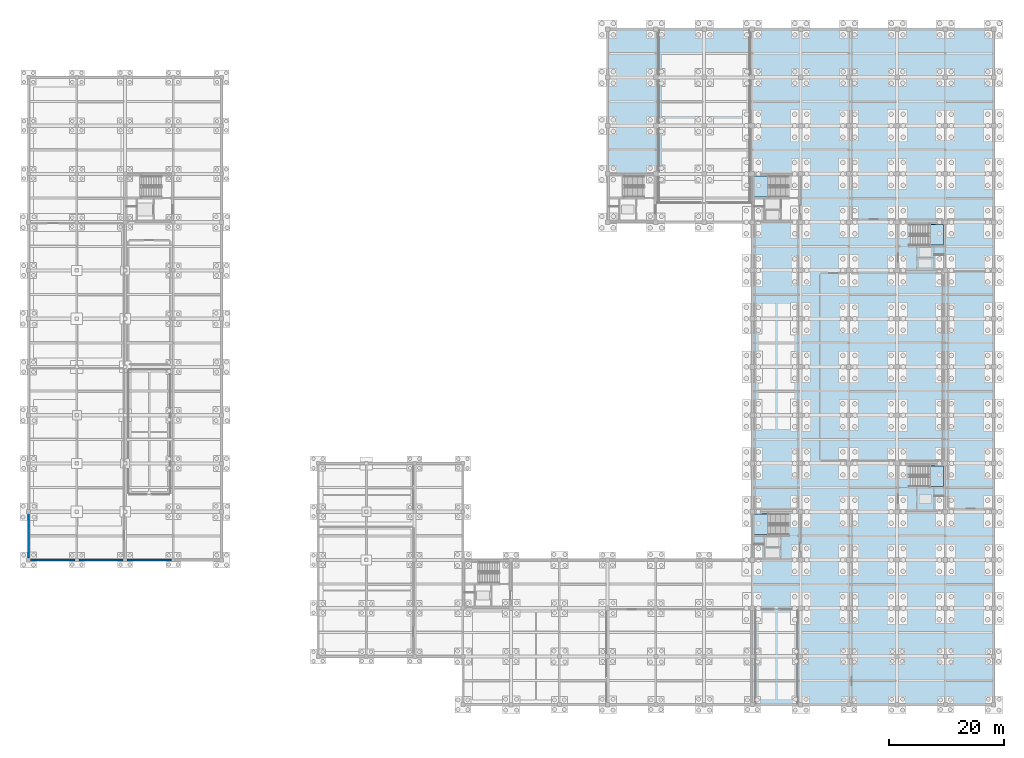
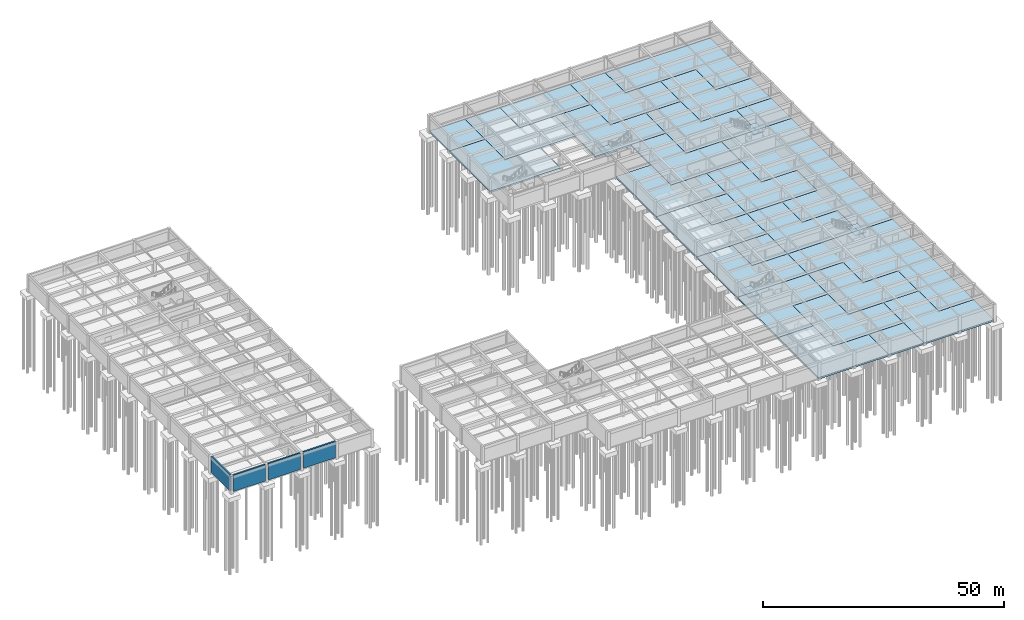
# One storey, part 15 of 33: 30 slabs, 4 walls, 4 elements without a shape of their own.
"""IFC4 building model written with IfcOpenShell, lengths in metres."""

from ifc_helpers import new_model, si_unit, direction, frame, frame_2d, origin, place, context, subcontext, project, spatial, polyline, rectangle, outline, extrude, material, layer, layer_set, type_object, element, aggregate, save


model = new_model("IFC4")

# Units and contexts
model_context = context("Model", 3, precision=1e-05, world=origin(), true_north=direction((0.0, 1.0)))
body_context = subcontext(model_context, "Body", "Model", "MODEL_VIEW")
ifc_project = project(units=[si_unit("LENGTHUNIT", "METRE"), si_unit("AREAUNIT", "SQUARE_METRE"), si_unit("VOLUMEUNIT", "CUBIC_METRE"), si_unit("PLANEANGLEUNIT", "RADIAN"), si_unit("MASSUNIT", "GRAM", prefix="KILO")], contexts=[model_context])

# Site, building, storey
site_placement = place(None, origin())
site = spatial("IfcSite", under=ifc_project, at=site_placement, CompositionType="ELEMENT")
building_placement = place(site_placement, origin())
building = spatial("IfcBuilding", under=site, at=building_placement, Name="Kveldsbrygga Polytechnic", CompositionType="ELEMENT")
storey_placement = place(building_placement, frame((0.0, 0.0, -4.419921875)))
storey = spatial("IfcBuildingStorey", under=building, at=storey_placement, Name="B1", CompositionType="ELEMENT", Elevation=-4.419921875)

# Slabs
ifc_material = material(Name="Concrete C35/45", Category="concrete")
ifc_layer_1 = layer(ifc_material, 0.39990234375)
ifc_layer_set_1 = layer_set([ifc_layer_1], Name="Concrete C35/45")
slab_type_1 = type_object("IfcSlabType", Name="SLB-BASE-400", PredefinedType="BASESLAB", material=ifc_layer_set_1)
slab_1_placement = place(storey_placement, frame((0.0, 0.0, -0.400146484375)))
element("IfcSlab", 1, at=slab_1_placement, inside=storey, type_object=slab_type_1, Name="Slab SLB-B1-V4-L01-1", PredefinedType="BASESLAB", context=body_context, shape_type="SweptSolid", body=[
    extrude(outline(polyline([(100.800048828125, 92.39990234375), (100.800048828125, 100.800048828125), (100.800048828125, 109.199951171875), (109.199951171875, 109.199951171875), (109.199951171875, 100.800048828125), (117.60009765625, 100.800048828125), (117.60009765625, 92.39990234375), (109.199951171875, 92.39990234375), (100.800048828125, 92.39990234375)])), origin(), (0.0, 0.0, 1.0), 0.400146484375),
])
slab_2_placement = place(storey_placement, frame((0.0, 0.0, -0.400146484375)))
element("IfcSlab", 2, at=slab_2_placement, inside=storey, type_object=slab_type_1, Name="Slab SLB-B1-V4-L02-1", PredefinedType="BASESLAB", context=body_context, shape_type="SweptSolid", body=[
    extrude(outline(polyline([(109.199951171875, 100.800048828125), (109.199951171875, 109.199951171875), (109.199951171875, 117.60009765625), (117.60009765625, 117.60009765625), (117.60009765625, 109.199951171875), (126.0, 109.199951171875), (126.0, 100.800048828125), (117.60009765625, 100.800048828125), (109.199951171875, 100.800048828125)])), origin(), (0.0, 0.0, 1.0), 0.400146484375),
])
slab_3_placement = place(storey_placement, frame((0.0, 0.0, -0.400146484375)))
element("IfcSlab", 3, at=slab_3_placement, inside=storey, type_object=slab_type_1, Name="Slab SLB-B1-V4-L03-1", PredefinedType="BASESLAB", context=body_context, shape_type="SweptSolid", body=[
    extrude(outline(polyline([(126.0, 0.0), (126.0, 8.39990234375), (126.0, 16.800048828125), (134.39990234375, 16.800048828125), (134.39990234375, 8.39990234375), (142.800048828125, 8.39990234375), (142.800048828125, 0.0), (134.39990234375, 0.0), (126.0, 0.0)])), origin(), (0.0, 0.0, 1.0), 0.400146484375),
])
slab_4_placement = place(storey_placement, frame((0.0, 0.0, -0.400146484375)))
element("IfcSlab", 4, at=slab_4_placement, inside=storey, type_object=slab_type_1, Name="Slab SLB-B1-V4-L04-1", PredefinedType="BASESLAB", context=body_context, shape_type="SweptSolid", body=[
    extrude(outline(polyline([(126.0, 33.60009765625), (126.0, 42.0), (126.0, 50.39990234375), (134.39990234375, 50.39990234375), (134.39990234375, 42.0), (142.800048828125, 42.0), (142.800048828125, 33.60009765625), (134.39990234375, 33.60009765625), (126.0, 33.60009765625)])), origin(), (0.0, 0.0, 1.0), 0.400146484375),
])
slab_5_placement = place(storey_placement, frame((0.0, 0.0, -0.400146484375)))
element("IfcSlab", 5, at=slab_5_placement, inside=storey, type_object=slab_type_1, Name="Slab SLB-B1-V4-L05-1", PredefinedType="BASESLAB", context=body_context, shape_type="SweptSolid", body=[
    extrude(outline(polyline([(126.0, 50.39990234375), (126.0, 58.800048828125), (126.0, 67.199951171875), (134.39990234375, 67.199951171875), (134.39990234375, 58.800048828125), (142.800048828125, 58.800048828125), (142.800048828125, 50.39990234375), (134.39990234375, 50.39990234375), (126.0, 50.39990234375)])), origin(), (0.0, 0.0, 1.0), 0.400146484375),
])
slab_6_placement = place(storey_placement, frame((0.0, 0.0, -0.400146484375)))
element("IfcSlab", 6, at=slab_6_placement, inside=storey, type_object=slab_type_1, Name="Slab SLB-B1-V4-L06-1", PredefinedType="BASESLAB", context=body_context, shape_type="SweptSolid", body=[
    extrude(outline(polyline([(126.0, 67.199951171875), (126.0, 75.60009765625), (126.0, 84.0), (134.39990234375, 84.0), (134.39990234375, 75.60009765625), (142.800048828125, 75.60009765625), (142.800048828125, 67.199951171875), (134.39990234375, 67.199951171875), (126.0, 67.199951171875)])), origin(), (0.0, 0.0, 1.0), 0.400146484375),
])
slab_7_placement = place(storey_placement, frame((0.0, 0.0, -0.400146484375)))
element("IfcSlab", 7, at=slab_7_placement, inside=storey, type_object=slab_type_1, Name="Slab SLB-B1-V4-L07-1", PredefinedType="BASESLAB", context=body_context, shape_type="SweptSolid", body=[
    extrude(outline(polyline([(126.0, 92.39990234375), (126.0, 100.800048828125), (126.0, 109.199951171875), (134.39990234375, 109.199951171875), (134.39990234375, 100.800048828125), (142.800048828125, 100.800048828125), (142.800048828125, 92.39990234375), (134.39990234375, 92.39990234375), (126.0, 92.39990234375)])), origin(), (0.0, 0.0, 1.0), 0.400146484375),
])
slab_8_placement = place(storey_placement, frame((0.0, 0.0, -0.400146484375)))
element("IfcSlab", 8, at=slab_8_placement, inside=storey, type_object=slab_type_1, Name="Slab SLB-B1-V4-L08-1", PredefinedType="BASESLAB", context=body_context, shape_type="SweptSolid", body=[
    extrude(outline(polyline([(134.39990234375, 8.39990234375), (134.39990234375, 16.800048828125), (134.39990234375, 25.199951171875), (142.800048828125, 25.199951171875), (142.800048828125, 16.800048828125), (151.199951171875, 16.800048828125), (151.199951171875, 8.39990234375), (142.800048828125, 8.39990234375), (134.39990234375, 8.39990234375)])), origin(), (0.0, 0.0, 1.0), 0.400146484375),
])
slab_9_placement = place(storey_placement, frame((0.0, 0.0, -0.400146484375)))
element("IfcSlab", 9, at=slab_9_placement, inside=storey, type_object=slab_type_1, Name="Slab SLB-B1-V4-L09-1", PredefinedType="BASESLAB", context=body_context, shape_type="SweptSolid", body=[
    extrude(outline(polyline([(134.39990234375, 75.60009765625), (134.39990234375, 84.0), (134.39990234375, 92.39990234375), (142.800048828125, 92.39990234375), (142.800048828125, 84.0), (151.199951171875, 84.0), (151.199951171875, 75.60009765625), (142.800048828125, 75.60009765625), (134.39990234375, 75.60009765625)])), origin(), (0.0, 0.0, 1.0), 0.400146484375),
])
slab_10_placement = place(storey_placement, frame((0.0, 0.0, -0.400146484375)))
element("IfcSlab", 10, at=slab_10_placement, inside=storey, type_object=slab_type_1, Name="Slab SLB-B1-V4-L10-1", PredefinedType="BASESLAB", context=body_context, shape_type="SweptSolid", body=[
    extrude(outline(polyline([(134.39990234375, 100.800048828125), (134.39990234375, 109.199951171875), (134.39990234375, 117.60009765625), (142.800048828125, 117.60009765625), (142.800048828125, 109.199951171875), (151.199951171875, 109.199951171875), (151.199951171875, 100.800048828125), (142.800048828125, 100.800048828125), (134.39990234375, 100.800048828125)])), origin(), (0.0, 0.0, 1.0), 0.400146484375),
])
slab_11_placement = place(storey_placement, frame((0.0, 0.0, -0.400146484375)))
element("IfcSlab", 11, at=slab_11_placement, inside=storey, type_object=slab_type_1, Name="Slab SLB-B1-V4-L11-1", PredefinedType="BASESLAB", context=body_context, shape_type="SweptSolid", body=[
    extrude(outline(polyline([(142.800048828125, 16.800048828125), (142.800048828125, 25.199951171875), (142.800048828125, 33.60009765625), (151.199951171875, 33.60009765625), (151.199951171875, 25.199951171875), (159.60009765625, 25.199951171875), (159.60009765625, 16.800048828125), (151.199951171875, 16.800048828125), (142.800048828125, 16.800048828125)])), origin(), (0.0, 0.0, 1.0), 0.400146484375),
])
slab_12_placement = place(storey_placement, frame((0.0, 0.0, -0.400146484375)))
element("IfcSlab", 12, at=slab_12_placement, inside=storey, type_object=slab_type_1, Name="Slab SLB-B1-V4-L12-1", PredefinedType="BASESLAB", context=body_context, shape_type="SweptSolid", body=[
    extrude(outline(polyline([(142.800048828125, 42.0), (142.800048828125, 50.39990234375), (142.800048828125, 58.800048828125), (151.199951171875, 58.800048828125), (151.199951171875, 50.39990234375), (159.60009765625, 50.39990234375), (159.60009765625, 42.0), (151.199951171875, 42.0), (142.800048828125, 42.0)])), origin(), (0.0, 0.0, 1.0), 0.400146484375),
])
slab_13_placement = place(storey_placement, frame((0.0, 0.0, -0.400146484375)))
element("IfcSlab", 13, at=slab_13_placement, inside=storey, type_object=slab_type_1, Name="Slab SLB-B1-V4-L13-1", PredefinedType="BASESLAB", context=body_context, shape_type="SweptSolid", body=[
    extrude(outline(polyline([(142.800048828125, 58.800048828125), (142.800048828125, 67.199951171875), (142.800048828125, 75.60009765625), (151.199951171875, 75.60009765625), (151.199951171875, 67.199951171875), (159.60009765625, 67.199951171875), (159.60009765625, 58.800048828125), (151.199951171875, 58.800048828125), (142.800048828125, 58.800048828125)])), origin(), (0.0, 0.0, 1.0), 0.400146484375),
])
slab_14_placement = place(storey_placement, frame((0.0, 0.0, -0.400146484375)))
element("IfcSlab", 14, at=slab_14_placement, inside=storey, type_object=slab_type_1, Name="Slab SLB-B1-V4-L14-1", PredefinedType="BASESLAB", context=body_context, shape_type="SweptSolid", body=[
    extrude(outline(polyline([(142.800048828125, 84.0), (142.800048828125, 92.39990234375), (142.800048828125, 100.800048828125), (151.199951171875, 100.800048828125), (151.199951171875, 92.39990234375), (159.60009765625, 92.39990234375), (159.60009765625, 84.0), (151.199951171875, 84.0), (142.800048828125, 84.0)])), origin(), (0.0, 0.0, 1.0), 0.400146484375),
])
slab_15_placement = place(storey_placement, frame((0.0, 0.0, -0.400146484375)))
element("IfcSlab", 15, at=slab_15_placement, inside=storey, type_object=slab_type_1, Name="Slab SLB-B1-V4-L15-1", PredefinedType="BASESLAB", context=body_context, shape_type="SweptSolid", body=[
    extrude(outline(polyline([(151.199951171875, 0.0), (151.199951171875, 8.39990234375), (151.199951171875, 16.800048828125), (159.60009765625, 16.800048828125), (159.60009765625, 8.39990234375), (168.0, 8.39990234375), (168.0, 0.0), (159.60009765625, 0.0), (151.199951171875, 0.0)])), origin(), (0.0, 0.0, 1.0), 0.400146484375),
])
slab_16_placement = place(storey_placement, frame((0.0, 0.0, -0.400146484375)))
element("IfcSlab", 16, at=slab_16_placement, inside=storey, type_object=slab_type_1, Name="Slab SLB-B1-V4-L16-1", PredefinedType="BASESLAB", context=body_context, shape_type="SweptSolid", body=[
    extrude(outline(polyline([(151.199951171875, 92.39990234375), (151.199951171875, 100.800048828125), (151.199951171875, 109.199951171875), (159.60009765625, 109.199951171875), (159.60009765625, 100.800048828125), (168.0, 100.800048828125), (168.0, 92.39990234375), (159.60009765625, 92.39990234375), (151.199951171875, 92.39990234375)])), origin(), (0.0, 0.0, 1.0), 0.400146484375),
])
slab_17_placement = place(storey_placement, frame((0.0, 0.0, -0.400146484375)))
element("IfcSlab", 17, at=slab_17_placement, inside=storey, type_object=slab_type_1, Name="Slab SLB-B1-V4-Z3-1", PredefinedType="BASESLAB", context=body_context, shape_type="SweptSolid", body=[
    extrude(outline(polyline([(151.199951171875, 8.39990234375), (151.199951171875, 0.0), (142.800048828125, 0.0), (142.800048828125, 8.39990234375), (151.199951171875, 8.39990234375)])), origin(), (0.0, 0.0, 1.0), 0.400146484375),
])
slab_18_placement = place(storey_placement, frame((0.0, 0.0, -0.400146484375)))
element("IfcSlab", 18, at=slab_18_placement, inside=storey, type_object=slab_type_1, Name="Slab SLB-B1-V4-Z3-2", PredefinedType="BASESLAB", context=body_context, shape_type="SweptSolid", body=[
    extrude(outline(polyline([(126.0, 33.60009765625), (134.39990234375, 33.60009765625), (142.800048828125, 33.60009765625), (142.800048828125, 25.199951171875), (134.39990234375, 25.199951171875), (134.39990234375, 16.800048828125), (126.0, 16.800048828125), (126.0, 25.199951171875), (126.0, 33.60009765625)])), origin(), (0.0, 0.0, 1.0), 0.400146484375),
])
slab_19_placement = place(storey_placement, frame((0.0, 0.0, -0.400146484375)))
element("IfcSlab", 19, at=slab_19_placement, inside=storey, type_object=slab_type_1, Name="Slab SLB-B1-V4-Z3-3", PredefinedType="BASESLAB", context=body_context, shape_type="SweptSolid", body=[
    extrude(outline(polyline([(151.199951171875, 25.199951171875), (151.199951171875, 33.60009765625), (142.800048828125, 33.60009765625), (142.800048828125, 42.0), (151.199951171875, 42.0), (159.60009765625, 42.0), (168.0, 42.0), (168.0, 33.60009765625), (168.0, 25.199951171875), (168.0, 16.800048828125), (168.0, 8.39990234375), (159.60009765625, 8.39990234375), (159.60009765625, 16.800048828125), (159.60009765625, 25.199951171875), (151.199951171875, 25.199951171875)])), origin(), (0.0, 0.0, 1.0), 0.400146484375),
])
slab_20_placement = place(storey_placement, frame((0.0, 0.0, -0.400146484375)))
element("IfcSlab", 20, at=slab_20_placement, inside=storey, type_object=slab_type_1, Name="Slab SLB-B1-V4-Z6-1", PredefinedType="BASESLAB", context=body_context, shape_type="SweptSolid", body=[
    extrude(outline(polyline([(142.800048828125, 50.39990234375), (142.800048828125, 42.0), (134.39990234375, 42.0), (134.39990234375, 50.39990234375), (142.800048828125, 50.39990234375)])), origin(), (0.0, 0.0, 1.0), 0.400146484375),
])
slab_21_placement = place(storey_placement, frame((0.0, 0.0, -0.400146484375)))
element("IfcSlab", 21, at=slab_21_placement, inside=storey, type_object=slab_type_1, Name="Slab SLB-B1-V4-Z6-2", PredefinedType="BASESLAB", context=body_context, shape_type="SweptSolid", body=[
    extrude(outline(polyline([(151.199951171875, 50.39990234375), (151.199951171875, 58.800048828125), (159.60009765625, 58.800048828125), (159.60009765625, 67.199951171875), (151.199951171875, 67.199951171875), (151.199951171875, 75.60009765625), (151.199951171875, 84.0), (159.60009765625, 84.0), (168.0, 84.0), (168.0, 75.60009765625), (168.0, 67.199951171875), (168.0, 58.800048828125), (168.0, 50.39990234375), (168.0, 42.0), (159.60009765625, 42.0), (159.60009765625, 50.39990234375), (151.199951171875, 50.39990234375)])), origin(), (0.0, 0.0, 1.0), 0.400146484375),
])
slab_22_placement = place(storey_placement, frame((0.0, 0.0, -0.400146484375)))
element("IfcSlab", 22, at=slab_22_placement, inside=storey, type_object=slab_type_1, Name="Slab SLB-B1-V4-Z6-3", PredefinedType="BASESLAB", context=body_context, shape_type="SweptSolid", body=[
    extrude(outline(polyline([(142.800048828125, 58.800048828125), (134.39990234375, 58.800048828125), (134.39990234375, 67.199951171875), (142.800048828125, 67.199951171875), (142.800048828125, 58.800048828125)])), origin(), (0.0, 0.0, 1.0), 0.400146484375),
])
slab_23_placement = place(storey_placement, frame((0.0, 0.0, -0.400146484375)))
element("IfcSlab", 23, at=slab_23_placement, inside=storey, type_object=slab_type_1, Name="Slab SLB-B1-V4-Z8-2", PredefinedType="BASESLAB", context=body_context, shape_type="SweptSolid", body=[
    extrude(outline(polyline([(100.800048828125, 117.60009765625), (109.199951171875, 117.60009765625), (109.199951171875, 109.199951171875), (100.800048828125, 109.199951171875), (100.800048828125, 117.60009765625)])), origin(), (0.0, 0.0, 1.0), 0.400146484375),
])
slab_24_placement = place(storey_placement, frame((0.0, 0.0, -0.400146484375)))
element("IfcSlab", 24, at=slab_24_placement, inside=storey, type_object=slab_type_1, Name="Slab SLB-B1-V4-Z9-2", PredefinedType="BASESLAB", context=body_context, shape_type="SweptSolid", body=[
    extrude(outline(polyline([(168.0, 92.39990234375), (168.0, 84.0), (159.60009765625, 84.0), (159.60009765625, 92.39990234375), (168.0, 92.39990234375)])), origin(), (0.0, 0.0, 1.0), 0.400146484375),
])
slab_25_placement = place(storey_placement, frame((0.0, 0.0, -0.400146484375)))
element("IfcSlab", 25, at=slab_25_placement, inside=storey, type_object=slab_type_1, Name="Slab SLB-B1-V4-Z9-3", PredefinedType="BASESLAB", context=body_context, shape_type="SweptSolid", body=[
    extrude(outline(polyline([(168.0, 100.800048828125), (159.60009765625, 100.800048828125), (159.60009765625, 109.199951171875), (151.199951171875, 109.199951171875), (142.800048828125, 109.199951171875), (142.800048828125, 117.60009765625), (151.199951171875, 117.60009765625), (159.60009765625, 117.60009765625), (168.0, 117.60009765625), (168.0, 109.199951171875), (168.0, 100.800048828125)])), origin(), (0.0, 0.0, 1.0), 0.400146484375),
])
slab_26_placement = place(storey_placement, frame((0.0, 0.0, -0.400146484375)))
element("IfcSlab", 26, at=slab_26_placement, inside=storey, type_object=slab_type_1, Name="Slab SLB-B1-V4-Z9-4", PredefinedType="BASESLAB", context=body_context, shape_type="SweptSolid", body=[
    extrude(outline(polyline([(126.0, 117.60009765625), (134.39990234375, 117.60009765625), (134.39990234375, 109.199951171875), (126.0, 109.199951171875), (117.60009765625, 109.199951171875), (117.60009765625, 117.60009765625), (126.0, 117.60009765625)])), origin(), (0.0, 0.0, 1.0), 0.400146484375),
])

# Stair, slab
stair_type = type_object("IfcStairType", Name="STR-CORE-442", PredefinedType="HALF_TURN_STAIR", material=ifc_material)
stair_1_placement = place(storey_placement, origin())
stair_1 = element("IfcStair", 27, at=stair_1_placement, inside=storey, type_object=stair_type, Name="B1 Core C1 Escape Stair ST-1", PredefinedType="HALF_TURN_STAIR")
ifc_layer_2 = layer(ifc_material, 0.199951171875)
ifc_layer_set_2 = layer_set([ifc_layer_2], Name="Concrete C35/45")
slab_type_2 = type_object("IfcSlabType", Name="SLB-LANDING-200", PredefinedType="LANDING", material=ifc_layer_set_2)
slab_27_placement = place(storey_placement, frame((0.0, 0.0, 2.010009765625)))
slab_27 = element("IfcSlab", 28, at=slab_27_placement, type_object=slab_type_2, Name="ST-1 landing 1", PredefinedType="LANDING", context=body_context, shape_type="SweptSolid", body=[
    extrude(outline(polyline([(128.8701171875, 33.199951171875), (126.300048828125, 33.199951171875), (126.300048828125, 29.60009765625), (128.8701171875, 29.60009765625), (128.8701171875, 33.199951171875)])), origin(), (0.0, 0.0, 1.0), 0.199951171875),
])
aggregate(stair_1, [slab_27])

stair_2_placement = place(storey_placement, origin())
stair_2 = element("IfcStair", 29, at=stair_2_placement, inside=storey, type_object=stair_type, Name="B1 Core C2 Escape Stair ST-2", PredefinedType="HALF_TURN_STAIR")
slab_28_placement = place(storey_placement, frame((0.0, 0.0, 2.010009765625)))
slab_28 = element("IfcSlab", 30, at=slab_28_placement, type_object=slab_type_2, Name="ST-2 landing 1", PredefinedType="LANDING", context=body_context, shape_type="SweptSolid", body=[
    extrude(outline(polyline([(128.8701171875, 92.0), (126.300048828125, 92.0), (126.300048828125, 88.39990234375), (128.8701171875, 88.39990234375), (128.8701171875, 92.0)])), origin(), (0.0, 0.0, 1.0), 0.199951171875),
])
aggregate(stair_2, [slab_28])

stair_3_placement = place(storey_placement, origin())
stair_3 = element("IfcStair", 31, at=stair_3_placement, inside=storey, type_object=stair_type, Name="B1 Core C3 Escape Stair ST-3", PredefinedType="HALF_TURN_STAIR")
slab_29_placement = place(storey_placement, frame((0.0, 0.0, 2.010009765625)))
slab_29 = element("IfcSlab", 32, at=slab_29_placement, type_object=slab_type_2, Name="ST-3 landing 1", PredefinedType="LANDING", context=body_context, shape_type="SweptSolid", body=[
    extrude(outline(polyline([(156.72998046875, 38.0), (159.300048828125, 38.0), (159.300048828125, 41.60009765625), (156.72998046875, 41.60009765625), (156.72998046875, 38.0)])), origin(), (0.0, 0.0, 1.0), 0.199951171875),
])
aggregate(stair_3, [slab_29])

stair_4_placement = place(storey_placement, origin())
stair_4 = element("IfcStair", 33, at=stair_4_placement, inside=storey, type_object=stair_type, Name="B1 Core C4 Escape Stair ST-4", PredefinedType="HALF_TURN_STAIR")
slab_30_placement = place(storey_placement, frame((0.0, 0.0, 2.010009765625)))
slab_30 = element("IfcSlab", 34, at=slab_30_placement, type_object=slab_type_2, Name="ST-4 landing 1", PredefinedType="LANDING", context=body_context, shape_type="SweptSolid", body=[
    extrude(outline(polyline([(156.72998046875, 80.0), (159.300048828125, 80.0), (159.300048828125, 83.60009765625), (156.72998046875, 83.60009765625), (156.72998046875, 80.0)])), origin(), (0.0, 0.0, 1.0), 0.199951171875),
])
aggregate(stair_4, [slab_30])

# Walls
ifc_layer_3 = layer(ifc_material, 0.360107421875)
ifc_layer_set_3 = layer_set([ifc_layer_3], Name="Concrete C35/45")
wall_type_1 = type_object("IfcWallType", Name="WL-RET-360", PredefinedType="USERDEFINED", material=ifc_layer_set_3)
wall_1_placement = place(storey_placement, frame((0.0, 25.550048828125, 0.0), z_axis=(0.0, 0.0, 1.0), x_axis=(0.0, 1.0, 0.0)))
element("IfcWall", 35, at=wall_1_placement, inside=storey, type_object=wall_type_1, Name="Basement Retaining Wall RW-W-00-03", ObjectType="RETAININGWALL", PredefinedType="USERDEFINED", context=body_context, shape_type="SweptSolid", body=[
    extrude(rectangle(XDim=7.699951171875, YDim=0.360107421875, at=frame_2d((3.85009765625, 0.0))), origin(), (0.0, 0.0, 1.0), 4.119873046875),
])
ifc_layer_4 = layer(ifc_material, 0.39990234375)
ifc_layer_set_4 = layer_set([ifc_layer_4], Name="Concrete C35/45")
wall_type_2 = type_object("IfcWallType", Name="WL-RET-400", PredefinedType="USERDEFINED", material=ifc_layer_set_4)
for number, where, z_axis, x_axis, name in (
    (36, (0.35009765625, 25.199951171875, 0.0), (0.0, 0.0, 1.0), (1.0, 0.0, 0.0), "Basement Retaining Wall RW-S-00-03"),
    (37, (8.75, 25.199951171875, 0.0), (0.0, 0.0, 1.0), (1.0, 0.0, 0.0), "Basement Retaining Wall RW-S-01-03"),
):
    element("IfcWall", number, at=place(storey_placement, frame(where, z_axis=z_axis, x_axis=x_axis)), inside=storey, type_object=wall_type_2, Name=name, ObjectType="RETAININGWALL", PredefinedType="USERDEFINED", context=body_context, shape_type="SweptSolid", body=[
        extrude(rectangle(XDim=7.699951171875, YDim=0.39990234375, at=frame_2d((3.85009765625, 0.0))), origin(), (0.0, 0.0, 1.0), 4.119873046875),
    ])
wall_2_placement = place(storey_placement, frame((17.14990234375, 25.199951171875, 0.0), z_axis=(0.0, 0.0, 1.0), x_axis=(1.0, 0.0, 0.0)))
element("IfcWall", 38, at=wall_2_placement, inside=storey, type_object=wall_type_2, Name="Basement Retaining Wall RW-S-02-03", ObjectType="RETAININGWALL", PredefinedType="USERDEFINED", context=body_context, shape_type="SweptSolid", body=[
    extrude(rectangle(XDim=7.7001953125, YDim=0.39990234375, at=frame_2d((3.85009765625, 0.0))), origin(), (0.0, 0.0, 1.0), 4.119873046875),
])

save(model, "model.ifc")
